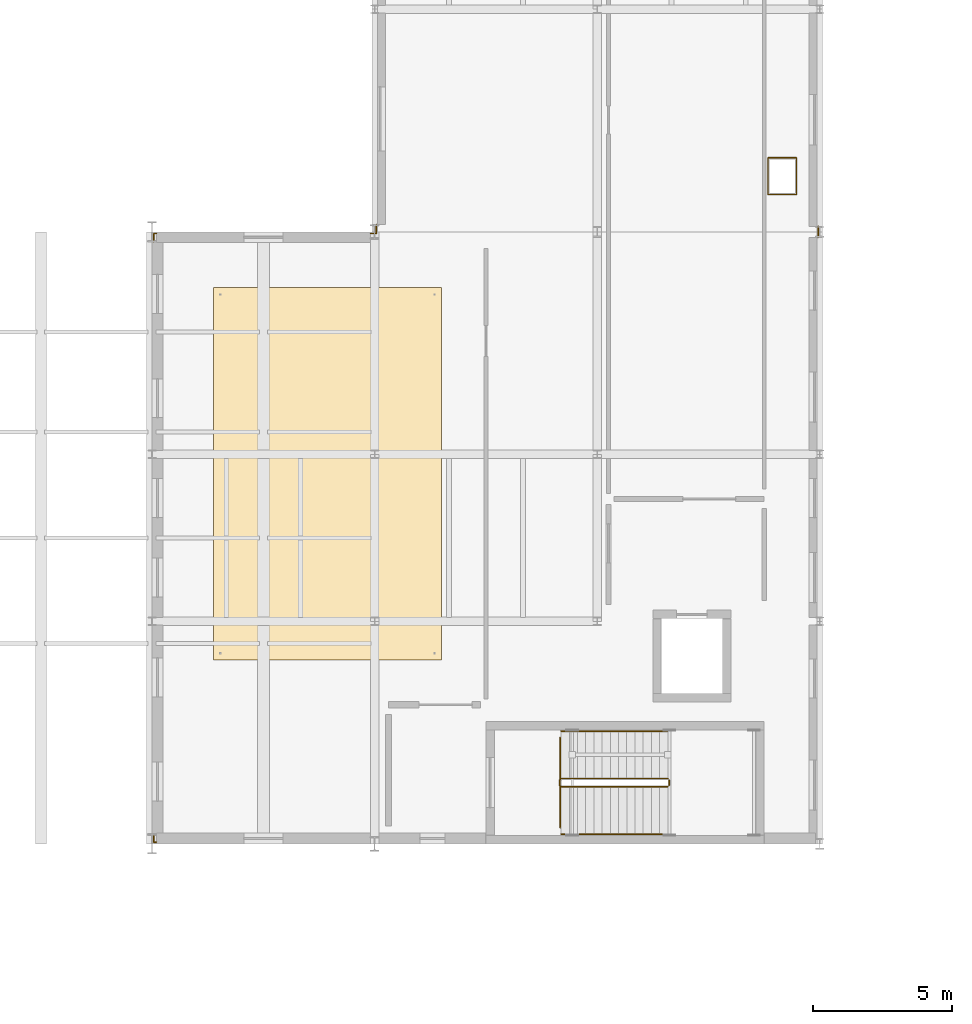
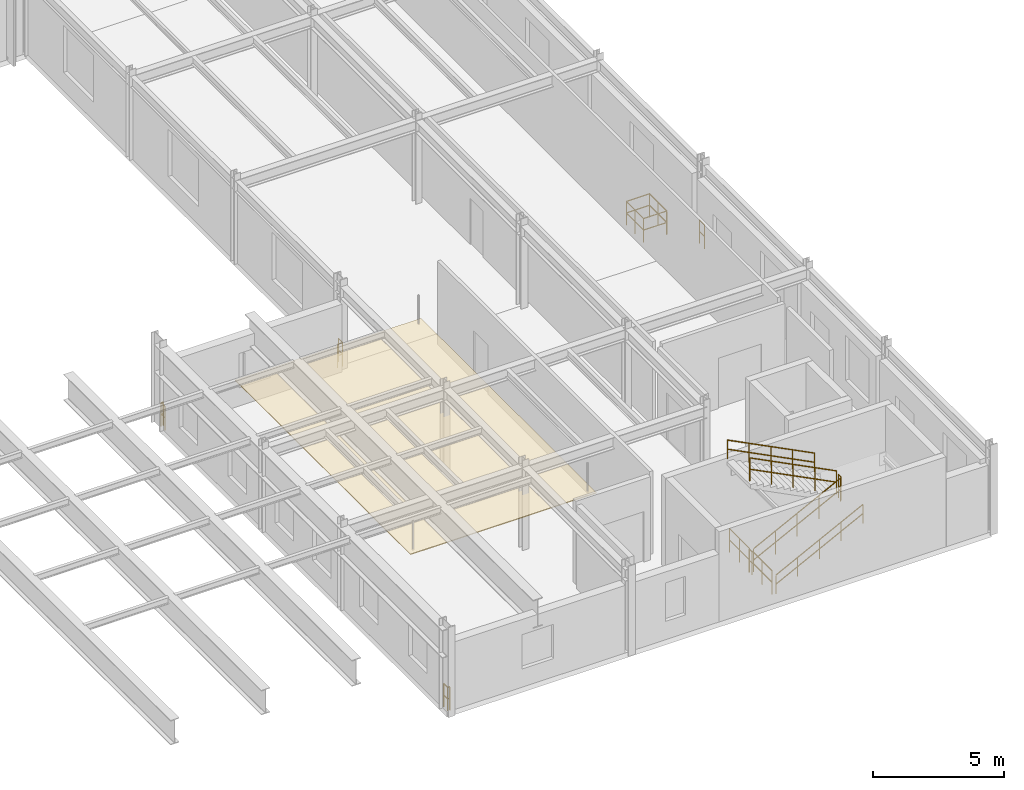
# One storey, part 111 of 122: 13 railings, 1 covering.
"""IFC4 building model written with IfcOpenShell, lengths in metres."""

from ifc_helpers import new_model, si_unit, direction, frame, origin, origin_2d, place, context, subcontext, project, spatial, polyline, circle, outline, extrude, material, layer, layer_set, type_object, element, save


model = new_model("IFC4")

# Units and contexts
model_context = context("Model", 3, precision=1e-05, world=origin(), true_north=direction((0.0, 1.0)))
body_context = subcontext(model_context, "Body", "Model", "MODEL_VIEW")
ifc_project = project(units=[si_unit("LENGTHUNIT", "METRE"), si_unit("AREAUNIT", "SQUARE_METRE"), si_unit("VOLUMEUNIT", "CUBIC_METRE"), si_unit("PLANEANGLEUNIT", "RADIAN"), si_unit("MASSUNIT", "GRAM", prefix="KILO")], contexts=[model_context])

# Site, building, storey
site_placement = place(None, origin())
site = spatial("IfcSite", under=ifc_project, at=site_placement, CompositionType="ELEMENT")
building_placement = place(site_placement, origin())
building = spatial("IfcBuilding", under=site, at=building_placement, Name="Sundkrona Museum", CompositionType="ELEMENT")
storey_placement = place(building_placement, frame((0.0, 0.0, 5.39990234375)))
storey = spatial("IfcBuildingStorey", under=building, at=storey_placement, Name="L01", CompositionType="ELEMENT", Elevation=5.39990234375)

# Covering
ifc_material_1 = material(Name="Perforated Acoustic Gypsum and Mineral Wool Ceiling", Category="other")
ifc_layer = layer(ifc_material_1, 0.0400390625)
ifc_layer_set = layer_set([ifc_layer], Name="Perforated Acoustic Gypsum and Mineral Wool Ceiling")
covering_type = type_object("IfcCoveringType", Name="COV-CEIL-AC", PredefinedType="CEILING", material=ifc_layer_set)
covering_placement = place(storey_placement, frame((0.0, 0.0, 2.550048828125)))
element("IfcCovering", 1, at=covering_placement, inside=storey, type_object=covering_type, Name="L01 Curatorial Library Acoustic Ceiling", PredefinedType="CEILING", context=body_context, shape_type="SweptSolid", body=[
    extrude(outline(polyline([(18.199951171875, 38.60009765625), (26.39990234375, 38.60009765625), (26.39990234375, 52.0), (18.199951171875, 52.0), (18.199951171875, 38.60009765625)])), origin(), (0.0, 0.0, 1.0), 0.0400390625),
])

# Railings
ifc_material_2 = material(Name="Painted Steel S355J2 and Laminated Glass Balustrade", Category="steel")
railing_type_1 = type_object("IfcRailingType", Name="RL-GUARD-1100", PredefinedType="BALUSTRADE", material=ifc_material_2)
railing_1_placement = place(storey_placement, frame((30.699951171875, 34.050048828125, 0.150146484375)))
element("IfcRailing", 2, at=railing_1_placement, inside=storey, type_object=railing_type_1, Name="L01 ST-4 stair guard 1", PredefinedType="BALUSTRADE", context=body_context, shape_type="SweptSolid", body=[
    extrude(circle(Radius=0.02392578125, at=origin_2d()), frame((0.0, 0.0, 1.076171875), z_axis=(0.891387850335, 0.0, 0.453241326752), x_axis=(0.0, 1.0, 0.0)), (0.0, 0.0, 1.0), 4.30224609375),
    extrude(circle(Radius=0.02392578125, at=origin_2d()), frame((0.0, 0.0, 0.550048828125), z_axis=(0.891387850335, 0.0, 0.453241326752), x_axis=(0.0, 1.0, 0.0)), (0.0, 0.0, 1.0), 4.30224609375),
    extrude(circle(Radius=0.02099609375, at=origin_2d()), origin(), (0.0, 0.0, 1.0), 1.052001953125),
    extrude(circle(Radius=0.02099609375, at=origin_2d()), frame((0.958740234375, 0.0, 0.487548828125)), (0.0, 0.0, 1.0), 1.052001953125),
    extrude(circle(Radius=0.02099609375, at=origin_2d()), frame((1.91748046875, 0.0, 0.97509765625)), (0.0, 0.0, 1.0), 1.052001953125),
    extrude(circle(Radius=0.02099609375, at=origin_2d()), frame((2.876220703125, 0.0, 1.46240234375)), (0.0, 0.0, 1.0), 1.052001953125),
    extrude(circle(Radius=0.02099609375, at=origin_2d()), frame((3.8349609375, 0.0, 1.949951171875)), (0.0, 0.0, 1.0), 1.052001953125),
])
railing_2_placement = place(storey_placement, frame((34.5849609375, 34.10009765625, 2.10009765625)))
element("IfcRailing", 3, at=railing_2_placement, inside=storey, type_object=railing_type_1, Name="L01 ST-4 stair guard 2", PredefinedType="BALUSTRADE", context=body_context, shape_type="SweptSolid", body=[
    extrude(circle(Radius=0.02392578125, at=origin_2d()), frame((0.0, 0.0, 1.076171875), z_axis=(0.0, 1.0, 0.0), x_axis=(-1.0, 0.0, 0.0)), (0.0, 0.0, 1.0), 0.199951171875),
    extrude(circle(Radius=0.02392578125, at=origin_2d()), frame((0.0, 0.0, 0.550048828125), z_axis=(0.0, 1.0, 0.0), x_axis=(-1.0, 0.0, 0.0)), (0.0, 0.0, 1.0), 0.199951171875),
    extrude(circle(Radius=0.02099609375, at=origin_2d()), origin(), (0.0, 0.0, 1.0), 1.052001953125),
    extrude(circle(Radius=0.02099609375, at=origin_2d()), frame((0.0, 0.199951171875, 0.0)), (0.0, 0.0, 1.0), 1.052001953125),
])
railing_3_placement = place(storey_placement, frame((34.534912109375, 34.35009765625, 2.25)))
element("IfcRailing", 4, at=railing_3_placement, inside=storey, type_object=railing_type_1, Name="L01 ST-4 stair guard 3", PredefinedType="BALUSTRADE", context=body_context, shape_type="SweptSolid", body=[
    extrude(circle(Radius=0.02392578125, at=origin_2d()), frame((0.0, 0.0, 1.076171875), z_axis=(-0.891364923058, 0.0, 0.453286414909), x_axis=(0.0, -1.0, 0.0)), (0.0, 0.0, 1.0), 4.30224609375),
    extrude(circle(Radius=0.02392578125, at=origin_2d()), frame((0.0, 0.0, 0.550048828125), z_axis=(-0.891364923058, 0.0, 0.453286414909), x_axis=(0.0, -1.0, 0.0)), (0.0, 0.0, 1.0), 4.30224609375),
    extrude(circle(Radius=0.02099609375, at=origin_2d()), origin(), (0.0, 0.0, 1.0), 1.052001953125),
    extrude(circle(Radius=0.02099609375, at=origin_2d()), frame((-0.958740234375, 0.0, 0.487548828125)), (0.0, 0.0, 1.0), 1.052001953125),
    extrude(circle(Radius=0.02099609375, at=origin_2d()), frame((-1.91748046875, 0.0, 0.97509765625)), (0.0, 0.0, 1.0), 1.052001953125),
    extrude(circle(Radius=0.02099609375, at=origin_2d()), frame((-2.876220703125, 0.0, 1.462646484375)), (0.0, 0.0, 1.0), 1.052001953125),
    extrude(circle(Radius=0.02099609375, at=origin_2d()), frame((-3.8349609375, 0.0, 1.9501953125)), (0.0, 0.0, 1.0), 1.052001953125),
])
railing_4_placement = place(storey_placement, frame((30.64990234375, 34.10009765625, 0.0)))
element("IfcRailing", 5, at=railing_4_placement, inside=storey, type_object=railing_type_1, Name="L01 ST-4 stair guard 4", PredefinedType="BALUSTRADE", context=body_context, shape_type="SweptSolid", body=[
    extrude(circle(Radius=0.02392578125, at=origin_2d()), frame((0.0, 0.0, 1.076171875), z_axis=(0.0, 1.0, 0.0), x_axis=(-1.0, 0.0, 0.0)), (0.0, 0.0, 1.0), 0.199951171875),
    extrude(circle(Radius=0.02392578125, at=origin_2d()), frame((0.0, 0.0, 0.550048828125), z_axis=(0.0, 1.0, 0.0), x_axis=(-1.0, 0.0, 0.0)), (0.0, 0.0, 1.0), 0.199951171875),
    extrude(circle(Radius=0.02099609375, at=origin_2d()), origin(), (0.0, 0.0, 1.0), 1.052001953125),
    extrude(circle(Radius=0.02099609375, at=origin_2d()), frame((0.0, 0.199951171875, 0.0)), (0.0, 0.0, 1.0), 1.052001953125),
])
railing_5_placement = place(storey_placement, frame((16.154052734375, 32.06005859375, 0.0)))
element("IfcRailing", 6, at=railing_5_placement, inside=storey, type_object=railing_type_1, Name="L01 Edge Protection Balustrade 003", PredefinedType="BALUSTRADE", context=body_context, shape_type="SweptSolid", body=[
    extrude(circle(Radius=0.02392578125, at=origin_2d()), frame((0.0, 0.0, 1.09619140625), z_axis=(-1.0, 0.0, 0.0), x_axis=(0.0, -1.0, 0.0)), (0.0, 0.0, 1.0), 0.093994140625),
    extrude(circle(Radius=0.02392578125, at=origin_2d()), frame((0.0, 0.0, 0.56005859375), z_axis=(-1.0, 0.0, 0.0), x_axis=(0.0, -1.0, 0.0)), (0.0, 0.0, 1.0), 0.093994140625),
    extrude(circle(Radius=0.02392578125, at=origin_2d()), frame((-0.093994140625, 0.0, 1.09619140625), z_axis=(0.0, 1.0, 0.0), x_axis=(-1.0, 0.0, 0.0)), (0.0, 0.0, 1.0), 0.300048828125),
    extrude(circle(Radius=0.02392578125, at=origin_2d()), frame((-0.093994140625, 0.0, 0.56005859375), z_axis=(0.0, 1.0, 0.0), x_axis=(-1.0, 0.0, 0.0)), (0.0, 0.0, 1.0), 0.300048828125),
    extrude(circle(Radius=0.02099609375, at=origin_2d()), origin(), (0.0, 0.0, 1.0), 1.072021484375),
    extrude(circle(Radius=0.02099609375, at=origin_2d()), frame((-0.093994140625, 0.0, 0.0)), (0.0, 0.0, 1.0), 1.072021484375),
    extrude(circle(Radius=0.02099609375, at=origin_2d()), frame((-0.093994140625, 0.300048828125, 0.0)), (0.0, 0.0, 1.0), 1.072021484375),
])
railing_6_placement = place(storey_placement, frame((16.06005859375, 53.639892578125, 0.0)))
element("IfcRailing", 7, at=railing_6_placement, inside=storey, type_object=railing_type_1, Name="L01 Edge Protection Balustrade 004", PredefinedType="BALUSTRADE", context=body_context, shape_type="SweptSolid", body=[
    extrude(circle(Radius=0.02392578125, at=origin_2d()), frame((0.0, 0.0, 1.09619140625), z_axis=(0.0, 1.0, 0.0), x_axis=(-1.0, 0.0, 0.0)), (0.0, 0.0, 1.0), 0.300048828125),
    extrude(circle(Radius=0.02392578125, at=origin_2d()), frame((0.0, 0.0, 0.56005859375), z_axis=(0.0, 1.0, 0.0), x_axis=(-1.0, 0.0, 0.0)), (0.0, 0.0, 1.0), 0.300048828125),
    extrude(circle(Radius=0.02392578125, at=origin_2d()), frame((0.0, 0.300048828125, 1.09619140625), z_axis=(1.0, 0.0, 0.0), x_axis=(0.0, 1.0, 0.0)), (0.0, 0.0, 1.0), 0.093994140625),
    extrude(circle(Radius=0.02392578125, at=origin_2d()), frame((0.0, 0.300048828125, 0.56005859375), z_axis=(1.0, 0.0, 0.0), x_axis=(0.0, 1.0, 0.0)), (0.0, 0.0, 1.0), 0.093994140625),
    extrude(circle(Radius=0.02099609375, at=origin_2d()), origin(), (0.0, 0.0, 1.0), 1.072021484375),
    extrude(circle(Radius=0.02099609375, at=origin_2d()), frame((0.0, 0.300048828125, 0.0)), (0.0, 0.0, 1.0), 1.072021484375),
    extrude(circle(Radius=0.02099609375, at=origin_2d()), frame((0.093994140625, 0.300048828125, 0.0)), (0.0, 0.0, 1.0), 1.072021484375),
])
railing_7_placement = place(storey_placement, frame((23.844970703125, 53.93994140625, 0.0)))
element("IfcRailing", 8, at=railing_7_placement, inside=storey, type_object=railing_type_1, Name="L01 Edge Protection Balustrade 007", PredefinedType="BALUSTRADE", context=body_context, shape_type="SweptSolid", body=[
    extrude(circle(Radius=0.02392578125, at=origin_2d()), frame((0.0, 0.0, 1.09619140625), z_axis=(1.0, 0.0, 0.0), x_axis=(0.0, 1.0, 0.0)), (0.0, 0.0, 1.0), 0.215087890625),
    extrude(circle(Radius=0.02392578125, at=origin_2d()), frame((0.0, 0.0, 0.56005859375), z_axis=(1.0, 0.0, 0.0), x_axis=(0.0, 1.0, 0.0)), (0.0, 0.0, 1.0), 0.215087890625),
    extrude(circle(Radius=0.02392578125, at=origin_2d()), frame((0.215087890625, 0.0, 1.09619140625), z_axis=(0.0, 1.0, 0.0), x_axis=(-1.0, 0.0, 0.0)), (0.0, 0.0, 1.0), 0.323974609375),
    extrude(circle(Radius=0.02392578125, at=origin_2d()), frame((0.215087890625, 0.0, 0.56005859375), z_axis=(0.0, 1.0, 0.0), x_axis=(-1.0, 0.0, 0.0)), (0.0, 0.0, 1.0), 0.323974609375),
    extrude(circle(Radius=0.02099609375, at=origin_2d()), origin(), (0.0, 0.0, 1.0), 1.072021484375),
    extrude(circle(Radius=0.02099609375, at=origin_2d()), frame((0.215087890625, 0.0, 0.0)), (0.0, 0.0, 1.0), 1.072021484375),
    extrude(circle(Radius=0.02099609375, at=origin_2d()), frame((0.215087890625, 0.323974609375, 0.0)), (0.0, 0.0, 1.0), 1.072021484375),
])
for number, where, name in (
    (9, (30.6650390625, 34.10009765625, 0.0), "L01 Edge Protection Balustrade 011"),
    (10, (30.6650390625, 35.820068359375, 0.0), "L01 Edge Protection Balustrade 012"),
):
    element("IfcRailing", number, at=place(storey_placement, frame(where)), inside=storey, type_object=railing_type_1, Name=name, PredefinedType="BALUSTRADE", context=body_context, shape_type="SweptSolid", body=[
        extrude(circle(Radius=0.02392578125, at=origin_2d()), frame((0.0, 0.0, 1.09619140625), z_axis=(0.0, -1.0, 0.0), x_axis=(1.0, 0.0, 0.0)), (0.0, 0.0, 1.0), 1.52001953125),
        extrude(circle(Radius=0.02392578125, at=origin_2d()), frame((0.0, 0.0, 0.56005859375), z_axis=(0.0, -1.0, 0.0), x_axis=(1.0, 0.0, 0.0)), (0.0, 0.0, 1.0), 1.52001953125),
        extrude(circle(Radius=0.02099609375, at=origin_2d()), origin(), (0.0, 0.0, 1.0), 1.072021484375),
        extrude(circle(Radius=0.02099609375, at=origin_2d()), frame((0.0, -0.760009765625, 0.0)), (0.0, 0.0, 1.0), 1.072021484375),
        extrude(circle(Radius=0.02099609375, at=origin_2d()), frame((0.0, -1.52001953125, 0.0)), (0.0, 0.0, 1.0), 1.072021484375),
    ])
railing_8_placement = place(storey_placement, frame((39.159912109375, 56.659912109375, 0.0)))
element("IfcRailing", 11, at=railing_8_placement, inside=storey, type_object=railing_type_1, Name="L01 Edge Protection Balustrade 015", PredefinedType="BALUSTRADE", context=body_context, shape_type="SweptSolid", body=[
    extrude(circle(Radius=0.02392578125, at=origin_2d()), frame((0.0, 0.0, 1.09619140625), z_axis=(-1.0, 0.0, 0.0), x_axis=(0.0, -1.0, 0.0)), (0.0, 0.0, 1.0), 1.02001953125),
    extrude(circle(Radius=0.02392578125, at=origin_2d()), frame((0.0, 0.0, 0.56005859375), z_axis=(-1.0, 0.0, 0.0), x_axis=(0.0, -1.0, 0.0)), (0.0, 0.0, 1.0), 1.02001953125),
    extrude(circle(Radius=0.02392578125, at=origin_2d()), frame((-1.02001953125, 0.0, 1.09619140625), z_axis=(0.0, -1.0, 0.0), x_axis=(1.0, 0.0, 0.0)), (0.0, 0.0, 1.0), 1.31982421875),
    extrude(circle(Radius=0.02392578125, at=origin_2d()), frame((-1.02001953125, 0.0, 0.56005859375), z_axis=(0.0, -1.0, 0.0), x_axis=(1.0, 0.0, 0.0)), (0.0, 0.0, 1.0), 1.31982421875),
    extrude(circle(Radius=0.02392578125, at=origin_2d()), frame((-1.02001953125, -1.31982421875, 1.09619140625), z_axis=(1.0, 0.0, 0.0), x_axis=(0.0, 1.0, 0.0)), (0.0, 0.0, 1.0), 1.02001953125),
    extrude(circle(Radius=0.02392578125, at=origin_2d()), frame((-1.02001953125, -1.31982421875, 0.56005859375), z_axis=(1.0, 0.0, 0.0), x_axis=(0.0, 1.0, 0.0)), (0.0, 0.0, 1.0), 1.02001953125),
    extrude(circle(Radius=0.02392578125, at=origin_2d()), frame((0.0, -1.31982421875, 1.09619140625), z_axis=(0.0, 1.0, 0.0), x_axis=(-1.0, 0.0, 0.0)), (0.0, 0.0, 1.0), 1.31982421875),
    extrude(circle(Radius=0.02392578125, at=origin_2d()), frame((0.0, -1.31982421875, 0.56005859375), z_axis=(0.0, 1.0, 0.0), x_axis=(-1.0, 0.0, 0.0)), (0.0, 0.0, 1.0), 1.31982421875),
    extrude(circle(Radius=0.02099609375, at=origin_2d()), origin(), (0.0, 0.0, 1.0), 1.072021484375),
    extrude(circle(Radius=0.02099609375, at=origin_2d()), frame((-1.02001953125, 0.0, 0.0)), (0.0, 0.0, 1.0), 1.072021484375),
    extrude(circle(Radius=0.02099609375, at=origin_2d()), frame((-1.02001953125, -0.659912109375, 0.0)), (0.0, 0.0, 1.0), 1.072021484375),
    extrude(circle(Radius=0.02099609375, at=origin_2d()), frame((-1.02001953125, -1.31982421875, 0.0)), (0.0, 0.0, 1.0), 1.072021484375),
    extrude(circle(Radius=0.02099609375, at=origin_2d()), frame((0.0, -1.31982421875, 0.0)), (0.0, 0.0, 1.0), 1.072021484375),
    extrude(circle(Radius=0.02099609375, at=origin_2d()), frame((0.0, -0.659912109375, 0.0)), (0.0, 0.0, 1.0), 1.072021484375),
])
railing_9_placement = place(storey_placement, frame((39.93994140625, 54.199462890625, 0.0)))
element("IfcRailing", 12, at=railing_9_placement, inside=storey, type_object=railing_type_1, Name="L01 Edge Protection Balustrade 017", PredefinedType="BALUSTRADE", context=body_context, shape_type="SweptSolid", body=[
    extrude(circle(Radius=0.02392578125, at=origin_2d()), frame((0.0, 0.0, 1.09619140625), z_axis=(0.0, -1.0, 0.0), x_axis=(1.0, 0.0, 0.0)), (0.0, 0.0, 1.0), 0.39892578125),
    extrude(circle(Radius=0.02392578125, at=origin_2d()), frame((0.0, 0.0, 0.56005859375), z_axis=(0.0, -1.0, 0.0), x_axis=(1.0, 0.0, 0.0)), (0.0, 0.0, 1.0), 0.39892578125),
    extrude(circle(Radius=0.02099609375, at=origin_2d()), origin(), (0.0, 0.0, 1.0), 1.072021484375),
    extrude(circle(Radius=0.02099609375, at=origin_2d()), frame((0.0, -0.39892578125, 0.0)), (0.0, 0.0, 1.0), 1.072021484375),
])
ifc_material_3 = material(Name="Brushed Bronze-Clad Steel Handrail", Category="steel")
railing_type_2 = type_object("IfcRailingType", Name="RL-HAND-900", PredefinedType="HANDRAIL", material=ifc_material_3)
railing_10_placement = place(storey_placement, frame((30.699951171875, 32.35009765625, 0.150146484375)))
element("IfcRailing", 13, at=railing_10_placement, inside=storey, type_object=railing_type_2, Name="L01 ST-4 stair handrail 1", PredefinedType="HANDRAIL", context=body_context, shape_type="SweptSolid", body=[
    extrude(circle(Radius=0.02392578125, at=origin_2d()), frame((0.0, 0.0, 0.8759765625), z_axis=(0.891387850335, 0.0, 0.453241326752), x_axis=(0.0, 1.0, 0.0)), (0.0, 0.0, 1.0), 4.30224609375),
    extrude(circle(Radius=0.02392578125, at=origin_2d()), frame((0.0, 0.0, 0.449951171875), z_axis=(0.891387850335, 0.0, 0.453241326752), x_axis=(0.0, 1.0, 0.0)), (0.0, 0.0, 1.0), 4.30224609375),
    extrude(circle(Radius=0.02099609375, at=origin_2d()), origin(), (0.0, 0.0, 1.0), 0.851806640625),
    extrude(circle(Radius=0.02099609375, at=origin_2d()), frame((0.958740234375, 0.0, 0.487548828125)), (0.0, 0.0, 1.0), 0.851806640625),
    extrude(circle(Radius=0.02099609375, at=origin_2d()), frame((1.91748046875, 0.0, 0.97509765625)), (0.0, 0.0, 1.0), 0.851806640625),
    extrude(circle(Radius=0.02099609375, at=origin_2d()), frame((2.876220703125, 0.0, 1.46240234375)), (0.0, 0.0, 1.0), 0.851806640625),
    extrude(circle(Radius=0.02099609375, at=origin_2d()), frame((3.8349609375, 0.0, 1.949951171875)), (0.0, 0.0, 1.0), 0.851806640625),
])
railing_11_placement = place(storey_placement, frame((34.534912109375, 36.050048828125, 2.25)))
element("IfcRailing", 14, at=railing_11_placement, inside=storey, type_object=railing_type_2, Name="L01 ST-4 stair handrail 2", PredefinedType="HANDRAIL", context=body_context, shape_type="SweptSolid", body=[
    extrude(circle(Radius=0.02392578125, at=origin_2d()), frame((0.0, 0.0, 0.8759765625), z_axis=(-0.891364923058, 0.0, 0.453286414909), x_axis=(0.0, -1.0, 0.0)), (0.0, 0.0, 1.0), 4.30224609375),
    extrude(circle(Radius=0.02392578125, at=origin_2d()), frame((0.0, 0.0, 0.449951171875), z_axis=(-0.891364923058, 0.0, 0.453286414909), x_axis=(0.0, -1.0, 0.0)), (0.0, 0.0, 1.0), 4.30224609375),
    extrude(circle(Radius=0.02099609375, at=origin_2d()), origin(), (0.0, 0.0, 1.0), 0.851806640625),
    extrude(circle(Radius=0.02099609375, at=origin_2d()), frame((-0.958740234375, 0.0, 0.487548828125)), (0.0, 0.0, 1.0), 0.851806640625),
    extrude(circle(Radius=0.02099609375, at=origin_2d()), frame((-1.91748046875, 0.0, 0.97509765625)), (0.0, 0.0, 1.0), 0.851806640625),
    extrude(circle(Radius=0.02099609375, at=origin_2d()), frame((-2.876220703125, 0.0, 1.462646484375)), (0.0, 0.0, 1.0), 0.851806640625),
    extrude(circle(Radius=0.02099609375, at=origin_2d()), frame((-3.8349609375, 0.0, 1.9501953125)), (0.0, 0.0, 1.0), 0.851806640625),
])

save(model, "model.ifc")
